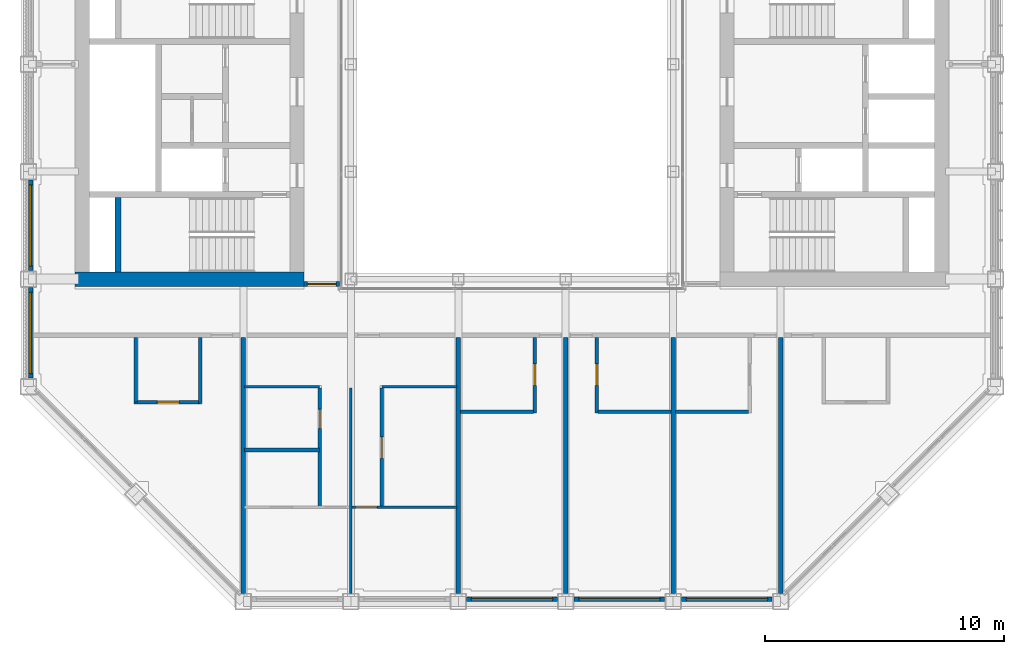
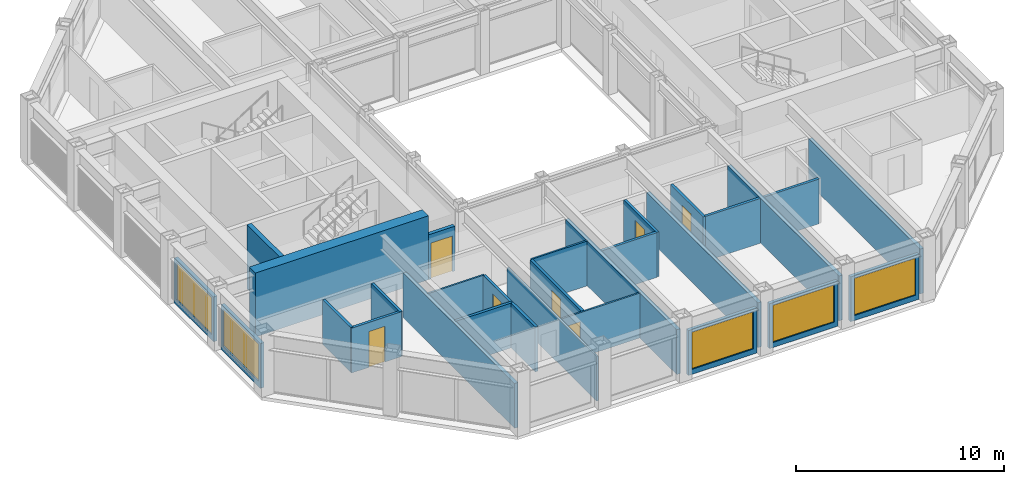
# One storey, part 9 of 18: 28 walls, 7 doors, 5 windows, 12 openings.
"""IFC4 building model written with IfcOpenShell, lengths in metres."""

from ifc_helpers import new_model, si_unit, direction, frame, frame_2d, origin, place, context, subcontext, project, spatial, rectangle, extrude, material, layer, layer_set, type_object, element, fill, save


model = new_model("IFC4")

# Units and contexts
model_context = context("Model", 3, precision=1e-05, world=origin(), true_north=direction((0.0, 1.0)))
body_context = subcontext(model_context, "Body", "Model", "MODEL_VIEW")
ifc_project = project(units=[si_unit("LENGTHUNIT", "METRE"), si_unit("AREAUNIT", "SQUARE_METRE"), si_unit("VOLUMEUNIT", "CUBIC_METRE"), si_unit("PLANEANGLEUNIT", "RADIAN"), si_unit("MASSUNIT", "GRAM", prefix="KILO")], contexts=[model_context])

# Site, building, storey
site_placement = place(None, origin())
site = spatial("IfcSite", under=ifc_project, at=site_placement, CompositionType="ELEMENT")
building_placement = place(site_placement, origin())
building = spatial("IfcBuilding", under=site, at=building_placement, Name="Msasa Ring Tower", CompositionType="ELEMENT")
storey_placement = place(building_placement, frame((0.0, 0.0, 227.050048828125)))
storey = spatial("IfcBuildingStorey", under=building, at=storey_placement, Name="L59", CompositionType="ELEMENT", Elevation=227.050048828125)

# Walls
ifc_material_1 = material(Name="Concrete C60/75", Category="concrete")
ifc_layer_1 = layer(ifc_material_1, 0.60009765625)
ifc_layer_set_1 = layer_set([ifc_layer_1], Name="CW3 CORE WALL 600")
wall_type_1 = type_object("IfcWallType", Name="CW3 CORE WALL 600", PredefinedType="SHEAR", material=ifc_layer_set_1)
wall_1_placement = place(storey_placement, frame((-8.699951171875, -6.75, 0.0), z_axis=(0.0, 0.0, 1.0), x_axis=(-1.0, 0.0, 0.0)))
element("IfcWall", 1, at=wall_1_placement, inside=storey, type_object=wall_type_1, Name="W core wall S L59", PredefinedType="SHEAR", context=body_context, shape_type="SweptSolid", body=[
    extrude(rectangle(XDim=9.60009765625, YDim=0.60009765625, at=frame_2d((4.800048828125, 0.0))), origin(), (0.0, 0.0, 1.0), 3.75),
])
ifc_material_2 = material(Name="Concrete C60/75", Category="concrete")
ifc_layer_2 = layer(ifc_material_2, 0.25)
ifc_layer_set_2 = layer_set([ifc_layer_2], Name="CW4 CORE INNER WALL 250")
wall_type_2 = type_object("IfcWallType", Name="CW4 CORE INNER WALL 250", PredefinedType="SHEAR", material=ifc_layer_set_2)
wall_2_placement = place(storey_placement, frame((-16.5, -6.449951171875, 0.0), z_axis=(0.0, 0.0, 1.0), x_axis=(0.0, 1.0, 0.0)))
element("IfcWall", 2, at=wall_2_placement, inside=storey, type_object=wall_type_2, Name="W core wall RISERA L59", PredefinedType="SHEAR", context=body_context, shape_type="SweptSolid", body=[
    extrude(rectangle(XDim=3.125, YDim=0.25, at=frame_2d((1.5625, 0.0))), origin(), (0.0, 0.0, 1.0), 3.75),
])

# Wall, opening, window
ifc_material_3 = material(Name="Terracotta rainscreen on blockwork", Category="masonry")
ifc_layer_3 = layer(ifc_material_3, 0.199951171875)
ifc_layer_set_3 = layer_set([ifc_layer_3], Name="FW1 TERRACOTTA-LINED INFILL BAY WALL 200")
wall_type_3 = type_object("IfcWallType", Name="FW1 TERRACOTTA-LINED INFILL BAY WALL 200", PredefinedType="SOLIDWALL", material=ifc_layer_set_3)
wall_3_placement = place(storey_placement, frame((-1.89501953125, -20.14990234375, 0.0), z_axis=(0.0, 0.0, 1.0), x_axis=(1.0, 0.0, 0.0)))
wall_3 = element("IfcWall", 3, at=wall_3_placement, inside=storey, type_object=wall_type_3, Name="Infill bay wall S L59 02", PredefinedType="SOLIDWALL", context=body_context, shape_type="SweptSolid", body=[
    extrude(rectangle(XDim=3.7900390625, YDim=0.199951171875, at=frame_2d((1.89501953125, 0.0))), origin(), (0.0, 0.0, 1.0), 2.62890625),
])
opening_1_placement = place(wall_3_placement, frame((0.195068359375, 0.0, 0.300048828125)))
opening_1 = element("IfcOpeningElement", 4, at=opening_1_placement, cuts=wall_3, Name="Opening WN3", PredefinedType="OPENING", context=body_context, shape_type="SweptSolid", body=[
    extrude(rectangle(XDim=3.39990234375, YDim=2.178955078125, at=frame_2d((1.699951171875, 1.08935546875))), frame((0.0, 0.10986328125, 0.0), z_axis=(0.0, -1.0, 0.0), x_axis=(1.0, 0.0, 0.0)), (0.0, 0.0, 1.0), 0.219970703125),
])
ifc_material_4 = material(Name="Aluminium frame with clear glass", Category="aluminium")
window_type = type_object("IfcWindowType", Name="WN3 SUITE WINDOW 3400x2179", PartitioningType="SINGLE_PANEL", PredefinedType="WINDOW", material=ifc_material_4)
window_1_placement = place(opening_1_placement, origin())
window_1 = element("IfcWindow", 5, at=window_1_placement, inside=storey, type_object=window_type, Name="Window S L59 02", OverallHeight=2.178955078125, OverallWidth=3.39990234375, PartitioningType="SINGLE_PANEL", PredefinedType="WINDOW", context=body_context, shape_type="SweptSolid", body=[
    extrude(rectangle(XDim=3.39990234375, YDim=2.178955078125, at=frame_2d((1.699951171875, 1.08935546875))), frame((0.0, 0.030029296875, 0.0), z_axis=(0.0, -1.0, 0.0), x_axis=(1.0, 0.0, 0.0)), (0.0, 0.0, 1.0), 0.06005859375),
])
fill(opening_1, window_1)

wall_4_placement = place(storey_placement, frame((2.60498046875, -20.14990234375, 0.0), z_axis=(0.0, 0.0, 1.0), x_axis=(1.0, 0.0, 0.0)))
wall_4 = element("IfcWall", 6, at=wall_4_placement, inside=storey, type_object=wall_type_3, Name="Infill bay wall S L59 03", PredefinedType="SOLIDWALL", context=body_context, shape_type="SweptSolid", body=[
    extrude(rectangle(XDim=3.7900390625, YDim=0.199951171875, at=frame_2d((1.89501953125, 0.0))), origin(), (0.0, 0.0, 1.0), 2.62890625),
])
opening_2_placement = place(wall_4_placement, frame((0.195068359375, 0.0, 0.300048828125)))
opening_2 = element("IfcOpeningElement", 7, at=opening_2_placement, cuts=wall_4, Name="Opening WN3", PredefinedType="OPENING", context=body_context, shape_type="SweptSolid", body=[
    extrude(rectangle(XDim=3.39990234375, YDim=2.178955078125, at=frame_2d((1.699951171875, 1.08935546875))), frame((0.0, 0.10986328125, 0.0), z_axis=(0.0, -1.0, 0.0), x_axis=(1.0, 0.0, 0.0)), (0.0, 0.0, 1.0), 0.219970703125),
])
window_2_placement = place(opening_2_placement, origin())
window_2 = element("IfcWindow", 8, at=window_2_placement, inside=storey, type_object=window_type, Name="Window S L59 03", OverallHeight=2.178955078125, OverallWidth=3.39990234375, PartitioningType="SINGLE_PANEL", PredefinedType="WINDOW", context=body_context, shape_type="SweptSolid", body=[
    extrude(rectangle(XDim=3.39990234375, YDim=2.178955078125, at=frame_2d((1.699951171875, 1.08935546875))), frame((0.0, 0.030029296875, 0.0), z_axis=(0.0, -1.0, 0.0), x_axis=(1.0, 0.0, 0.0)), (0.0, 0.0, 1.0), 0.06005859375),
])
fill(opening_2, window_2)

wall_5_placement = place(storey_placement, frame((7.10498046875, -20.14990234375, 0.0), z_axis=(0.0, 0.0, 1.0), x_axis=(1.0, 0.0, 0.0)))
wall_5 = element("IfcWall", 9, at=wall_5_placement, inside=storey, type_object=wall_type_3, Name="Infill bay wall S L59 04", PredefinedType="SOLIDWALL", context=body_context, shape_type="SweptSolid", body=[
    extrude(rectangle(XDim=3.7900390625, YDim=0.199951171875, at=frame_2d((1.89501953125, 0.0))), origin(), (0.0, 0.0, 1.0), 2.62890625),
])
opening_3_placement = place(wall_5_placement, frame((0.195068359375, 0.0, 0.300048828125)))
opening_3 = element("IfcOpeningElement", 10, at=opening_3_placement, cuts=wall_5, Name="Opening WN3", PredefinedType="OPENING", context=body_context, shape_type="SweptSolid", body=[
    extrude(rectangle(XDim=3.39990234375, YDim=2.178955078125, at=frame_2d((1.699951171875, 1.08935546875))), frame((0.0, 0.10986328125, 0.0), z_axis=(0.0, -1.0, 0.0), x_axis=(1.0, 0.0, 0.0)), (0.0, 0.0, 1.0), 0.219970703125),
])
window_3_placement = place(opening_3_placement, origin())
window_3 = element("IfcWindow", 11, at=window_3_placement, inside=storey, type_object=window_type, Name="Window S L59 04", OverallHeight=2.178955078125, OverallWidth=3.39990234375, PartitioningType="SINGLE_PANEL", PredefinedType="WINDOW", context=body_context, shape_type="SweptSolid", body=[
    extrude(rectangle(XDim=3.39990234375, YDim=2.178955078125, at=frame_2d((1.699951171875, 1.08935546875))), frame((0.0, 0.030029296875, 0.0), z_axis=(0.0, -1.0, 0.0), x_axis=(1.0, 0.0, 0.0)), (0.0, 0.0, 1.0), 0.06005859375),
])
fill(opening_3, window_3)

wall_6_placement = place(storey_placement, frame((-20.14990234375, -10.89501953125, 0.0), z_axis=(0.0, 0.0, 1.0), x_axis=(0.0, 1.0, 0.0)))
wall_6 = element("IfcWall", 12, at=wall_6_placement, inside=storey, type_object=wall_type_3, Name="Infill bay wall W L59 21", PredefinedType="SOLIDWALL", context=body_context, shape_type="SweptSolid", body=[
    extrude(rectangle(XDim=3.7900390625, YDim=0.199951171875, at=frame_2d((1.89501953125, 0.0))), origin(), (0.0, 0.0, 1.0), 2.62890625),
])
opening_4_placement = place(wall_6_placement, frame((0.195068359375, 0.0, 0.300048828125)))
opening_4 = element("IfcOpeningElement", 13, at=opening_4_placement, cuts=wall_6, Name="Opening WN3", PredefinedType="OPENING", context=body_context, shape_type="SweptSolid", body=[
    extrude(rectangle(XDim=3.39990234375, YDim=2.178955078125, at=frame_2d((1.699951171875, 1.08935546875))), frame((0.0, 0.10986328125, 0.0), z_axis=(0.0, -1.0, 0.0), x_axis=(1.0, 0.0, 0.0)), (0.0, 0.0, 1.0), 0.219970703125),
])
window_4_placement = place(opening_4_placement, origin())
window_4 = element("IfcWindow", 14, at=window_4_placement, inside=storey, type_object=window_type, Name="Window W L59 21", OverallHeight=2.178955078125, OverallWidth=3.39990234375, PartitioningType="SINGLE_PANEL", PredefinedType="WINDOW", context=body_context, shape_type="SweptSolid", body=[
    extrude(rectangle(XDim=3.39990234375, YDim=2.178955078125, at=frame_2d((1.699951171875, 1.08935546875))), frame((0.0, 0.030029296875, 0.0), z_axis=(0.0, -1.0, 0.0), x_axis=(1.0, 0.0, 0.0)), (0.0, 0.0, 1.0), 0.06005859375),
])
fill(opening_4, window_4)

wall_7_placement = place(storey_placement, frame((-20.14990234375, -6.39501953125, 0.0), z_axis=(0.0, 0.0, 1.0), x_axis=(0.0, 1.0, 0.0)))
wall_7 = element("IfcWall", 15, at=wall_7_placement, inside=storey, type_object=wall_type_3, Name="Infill bay wall W L59 22", PredefinedType="SOLIDWALL", context=body_context, shape_type="SweptSolid", body=[
    extrude(rectangle(XDim=3.7900390625, YDim=0.199951171875, at=frame_2d((1.89501953125, 0.0))), origin(), (0.0, 0.0, 1.0), 2.62890625),
])
opening_5_placement = place(wall_7_placement, frame((0.195068359375, 0.0, 0.300048828125)))
opening_5 = element("IfcOpeningElement", 16, at=opening_5_placement, cuts=wall_7, Name="Opening WN3", PredefinedType="OPENING", context=body_context, shape_type="SweptSolid", body=[
    extrude(rectangle(XDim=3.39990234375, YDim=2.178955078125, at=frame_2d((1.699951171875, 1.08935546875))), frame((0.0, 0.10986328125, 0.0), z_axis=(0.0, -1.0, 0.0), x_axis=(1.0, 0.0, 0.0)), (0.0, 0.0, 1.0), 0.219970703125),
])
window_5_placement = place(opening_5_placement, origin())
window_5 = element("IfcWindow", 17, at=window_5_placement, inside=storey, type_object=window_type, Name="Window W L59 22", OverallHeight=2.178955078125, OverallWidth=3.39990234375, PartitioningType="SINGLE_PANEL", PredefinedType="WINDOW", context=body_context, shape_type="SweptSolid", body=[
    extrude(rectangle(XDim=3.39990234375, YDim=2.178955078125, at=frame_2d((1.699951171875, 1.08935546875))), frame((0.0, 0.030029296875, 0.0), z_axis=(0.0, -1.0, 0.0), x_axis=(1.0, 0.0, 0.0)), (0.0, 0.0, 1.0), 0.06005859375),
])
fill(opening_5, window_5)

# Wall, opening, door
ifc_material_5 = material(Name="Concrete blockwork", Category="masonry")
ifc_layer_4 = layer(ifc_material_5, 0.199951171875)
ifc_layer_set_4 = layer_set([ifc_layer_4], Name="PT1 CORRIDOR WALL 200")
wall_type_4 = type_object("IfcWallType", Name="PT1 CORRIDOR WALL 200", PredefinedType="PARTITIONING", material=ifc_layer_set_4)
wall_8_placement = place(storey_placement, frame((-8.699951171875, -6.949951171875, 0.0), z_axis=(0.0, 0.0, 1.0), x_axis=(1.0, 0.0, 0.0)))
wall_8 = element("IfcWall", 18, at=wall_8_placement, inside=storey, type_object=wall_type_4, Name="Corridor wall L59-SDWS", PredefinedType="PARTITIONING", context=body_context, shape_type="SweptSolid", body=[
    extrude(rectangle(XDim=1.469970703125, YDim=0.199951171875, at=frame_2d((0.73486328125, 0.0))), origin(), (0.0, 0.0, 1.0), 2.62890625),
])
opening_6_placement = place(wall_8_placement, frame((0.135009765625, 0.0, 0.0)))
opening_6 = element("IfcOpeningElement", 19, at=opening_6_placement, cuts=wall_8, Name="Opening SC-034", PredefinedType="OPENING", context=body_context, shape_type="SweptSolid", body=[
    extrude(rectangle(XDim=1.199951171875, YDim=2.10009765625, at=frame_2d((0.60009765625, 1.050048828125))), frame((0.0, 0.10986328125, 0.0), z_axis=(0.0, -1.0, 0.0), x_axis=(1.0, 0.0, 0.0)), (0.0, 0.0, 1.0), 0.219970703125),
])
ifc_material_6 = material(Name="Timber door leaf in a steel frame", Category="steel")
door_type_1 = type_object("IfcDoorType", Name="D25 CORRIDOR PAIR OF SMOKE DOORS 1200x2100", OperationType="DOUBLE_DOOR_DOUBLE_SWING", PredefinedType="DOOR", material=ifc_material_6)
door_1_placement = place(opening_6_placement, origin())
door_1 = element("IfcDoor", 20, at=door_1_placement, inside=storey, type_object=door_type_1, Name="Door L59-SDWS", OperationType="DOUBLE_DOOR_DOUBLE_SWING", OverallHeight=2.10009765625, OverallWidth=1.199951171875, PredefinedType="DOOR", context=body_context, shape_type="SweptSolid", body=[
    extrude(rectangle(XDim=1.199951171875, YDim=2.10009765625, at=frame_2d((0.60009765625, 1.050048828125))), frame((0.0, 0.02490234375, 0.0), z_axis=(0.0, -1.0, 0.0), x_axis=(1.0, 0.0, 0.0)), (0.0, 0.0, 1.0), 0.050048828125),
])
fill(opening_6, door_1)

# Wall
ifc_material_7 = material(Name="Gypsum board on steel studs", Category="steel")
ifc_layer_5 = layer(ifc_material_7, 0.10009765625)
ifc_layer_set_5 = layer_set([ifc_layer_5], Name="PT2 STUD PARTITION 100")
wall_type_5 = type_object("IfcWallType", Name="PT2 STUD PARTITION 100", PredefinedType="PARTITIONING", material=ifc_layer_set_5)
wall_9_placement = place(storey_placement, frame((-5.449951171875, -11.25, 0.0), z_axis=(0.0, 0.0, 1.0), x_axis=(1.0, 0.0, 0.0)))
element("IfcWall", 21, at=wall_9_placement, inside=storey, type_object=wall_type_5, Name="Partition L59-JS00HY0", PredefinedType="PARTITIONING", context=body_context, shape_type="SweptSolid", body=[
    extrude(rectangle(XDim=3.139892578125, YDim=0.10009765625, at=frame_2d((1.56982421875, 0.0))), origin(), (0.0, 0.0, 1.0), 2.62890625),
])

# Wall, opening, door
wall_10_placement = place(storey_placement, frame((-6.699951171875, -16.300048828125, 0.0), z_axis=(0.0, 0.0, 1.0), x_axis=(1.0, 0.0, 0.0)))
wall_10 = element("IfcWall", 22, at=wall_10_placement, inside=storey, type_object=wall_type_5, Name="Partition L59-JS00SY0", PredefinedType="PARTITIONING", context=body_context, shape_type="SweptSolid", body=[
    extrude(rectangle(XDim=4.389892578125, YDim=0.10009765625, at=frame_2d((2.19482421875, 0.0))), origin(), (0.0, 0.0, 1.0), 2.62890625),
])
opening_7_placement = place(wall_10_placement, frame((0.14990234375, 0.0, 0.0)))
opening_7 = element("IfcOpeningElement", 23, at=opening_7_placement, cuts=wall_10, Name="Opening SC-051", PredefinedType="OPENING", context=body_context, shape_type="SweptSolid", body=[
    extrude(rectangle(XDim=0.89990234375, YDim=2.10009765625, at=frame_2d((0.449951171875, 1.050048828125))), frame((0.0, 0.06005859375, 0.0), z_axis=(0.0, -1.0, 0.0), x_axis=(1.0, 0.0, 0.0)), (0.0, 0.0, 1.0), 0.1201171875),
])
ifc_material_8 = material(Name="Timber door leaf in a steel frame", Category="steel")
door_type_2 = type_object("IfcDoorType", Name="D22 INTERNAL HALL DOOR 900x2100", OperationType="SINGLE_SWING_LEFT", PredefinedType="DOOR", material=ifc_material_8)
door_2_placement = place(opening_7_placement, origin())
door_2 = element("IfcDoor", 24, at=door_2_placement, inside=storey, type_object=door_type_2, Name="Door L59-JS00L", OperationType="SINGLE_SWING_LEFT", OverallHeight=2.10009765625, OverallWidth=0.89990234375, PredefinedType="DOOR", context=body_context, shape_type="SweptSolid", body=[
    extrude(rectangle(XDim=0.89990234375, YDim=2.10009765625, at=frame_2d((0.449951171875, 1.050048828125))), frame((0.0, 0.02490234375, 0.0), z_axis=(0.0, -1.0, 0.0), x_axis=(1.0, 0.0, 0.0)), (0.0, 0.0, 1.0), 0.050048828125),
])
fill(opening_7, door_2)

# Walls
wall_11_placement = place(storey_placement, frame((-6.75, -19.89990234375, 0.0), z_axis=(0.0, 0.0, 1.0), x_axis=(0.0, 1.0, 0.0)))
element("IfcWall", 25, at=wall_11_placement, inside=storey, type_object=wall_type_5, Name="Partition L59-JS00P1", PredefinedType="PARTITIONING", context=body_context, shape_type="SweptSolid", body=[
    extrude(rectangle(XDim=8.599853515625, YDim=0.10009765625, at=frame_2d((4.2998046875, 0.0))), origin(), (0.0, 0.0, 1.0), 2.62890625),
])
wall_12_placement = place(storey_placement, frame((-11.18994140625, -11.25, 0.0), z_axis=(0.0, 0.0, 1.0), x_axis=(1.0, 0.0, 0.0)))
element("IfcWall", 26, at=wall_12_placement, inside=storey, type_object=wall_type_5, Name="Partition L59-JS00HY1", PredefinedType="PARTITIONING", context=body_context, shape_type="SweptSolid", body=[
    extrude(rectangle(XDim=3.139892578125, YDim=0.10009765625, at=frame_2d((1.56982421875, 0.0))), origin(), (0.0, 0.0, 1.0), 2.62890625),
])
ifc_material_9 = material(Name="Dense concrete blockwork, plastered both faces", Category="masonry")
ifc_layer_6 = layer(ifc_material_9, 0.25)
ifc_layer_set_6 = layer_set([ifc_layer_6], Name="PT3 APARTMENT SEPARATING WALL 250")
wall_type_6 = type_object("IfcWallType", Name="PT3 APARTMENT SEPARATING WALL 250", PredefinedType="PARTITIONING", material=ifc_layer_set_6)
for number, where, z_axis, x_axis, name in (
    (27, (-11.25, -19.89990234375, 0.0), (0.0, 0.0, 1.0), (0.0, 1.0, 0.0), "Party wall L59-PWS-11.25"),
    (28, (-2.25, -19.89990234375, 0.0), (0.0, 0.0, 1.0), (0.0, 1.0, 0.0), "Party wall L59-PWS-2.25"),
    (29, (2.25, -19.89990234375, 0.0), (0.0, 0.0, 1.0), (0.0, 1.0, 0.0), "Party wall L59-PWS+2.25"),
    (30, (6.75, -19.89990234375, 0.0), (0.0, 0.0, 1.0), (0.0, 1.0, 0.0), "Party wall L59-PWS+6.75"),
    (31, (11.25, -19.89990234375, 0.0), (0.0, 0.0, 1.0), (0.0, 1.0, 0.0), "Party wall L59-PWS+11.25"),
):
    element("IfcWall", number, at=place(storey_placement, frame(where, z_axis=z_axis, x_axis=x_axis)), inside=storey, type_object=wall_type_6, Name=name, PredefinedType="PARTITIONING", context=body_context, shape_type="SweptSolid", body=[
        extrude(rectangle(XDim=10.699951171875, YDim=0.199951171875, at=frame_2d((5.35009765625, 0.0))), origin(), (0.0, 0.0, 1.0), 2.62890625),
    ])

# Wall, opening, door
ifc_material_10 = material(Name="Moisture-resistant board on steel studs with a concealed cistern and pipe void, tiled", Category="steel")
ifc_layer_7 = layer(ifc_material_10, 0.14990234375)
ifc_layer_set_7 = layer_set([ifc_layer_7], Name="PT4 BATHROOM WET WALL 150")
wall_type_7 = type_object("IfcWallType", Name="PT4 BATHROOM WET WALL 150", PredefinedType="PARTITIONING", material=ifc_layer_set_7)
wall_13_placement = place(storey_placement, frame((-5.449951171875, -16.300048828125, 0.0), z_axis=(0.0, 0.0, 1.0), x_axis=(0.0, 1.0, 0.0)))
wall_13 = element("IfcWall", 32, at=wall_13_placement, inside=storey, type_object=wall_type_7, Name="Partition L59-JS00SX0", PredefinedType="PARTITIONING", context=body_context, shape_type="SweptSolid", body=[
    extrude(rectangle(XDim=5.0, YDim=0.14990234375, at=frame_2d((2.5, 0.0))), origin(), (0.0, 0.0, 1.0), 2.62890625),
])
opening_8_placement = place(wall_13_placement, frame((2.050048828125, 0.0, 0.0)))
opening_8 = element("IfcOpeningElement", 33, at=opening_8_placement, cuts=wall_13, Name="Opening SC-048", PredefinedType="OPENING", context=body_context, shape_type="SweptSolid", body=[
    extrude(rectangle(XDim=0.89990234375, YDim=2.10009765625, at=frame_2d((0.449951171875, 1.050048828125))), frame((0.0, 0.0849609375, 0.0), z_axis=(0.0, -1.0, 0.0), x_axis=(1.0, 0.0, 0.0)), (0.0, 0.0, 1.0), 0.169921875),
])
door_3_placement = place(opening_8_placement, origin())
door_3 = element("IfcDoor", 34, at=door_3_placement, inside=storey, type_object=door_type_2, Name="Door L59-JS00K", OperationType="SINGLE_SWING_LEFT", OverallHeight=2.10009765625, OverallWidth=0.89990234375, PredefinedType="DOOR", context=body_context, shape_type="SweptSolid", body=[
    extrude(rectangle(XDim=0.89990234375, YDim=2.10009765625, at=frame_2d((0.449951171875, 1.050048828125))), frame((0.0, 0.02490234375, 0.0), z_axis=(0.0, -1.0, 0.0), x_axis=(1.0, 0.0, 0.0)), (0.0, 0.0, 1.0), 0.050048828125),
])
fill(opening_8, door_3)

wall_14_placement = place(storey_placement, frame((-8.050048828125, -16.300048828125, 0.0), z_axis=(0.0, 0.0, 1.0), x_axis=(0.0, 1.0, 0.0)))
wall_14 = element("IfcWall", 35, at=wall_14_placement, inside=storey, type_object=wall_type_7, Name="Partition L59-JS00SX1", PredefinedType="PARTITIONING", context=body_context, shape_type="SweptSolid", body=[
    extrude(rectangle(XDim=5.0, YDim=0.14990234375, at=frame_2d((2.5, 0.0))), origin(), (0.0, 0.0, 1.0), 2.62890625),
])
opening_9_placement = place(wall_14_placement, frame((3.300048828125, 0.0, 0.0)))
opening_9 = element("IfcOpeningElement", 36, at=opening_9_placement, cuts=wall_14, Name="Opening SC-047", PredefinedType="OPENING", context=body_context, shape_type="SweptSolid", body=[
    extrude(rectangle(XDim=0.800048828125, YDim=2.10009765625, at=frame_2d((0.39990234375, 1.050048828125))), frame((0.0, 0.0849609375, 0.0), z_axis=(0.0, -1.0, 0.0), x_axis=(1.0, 0.0, 0.0)), (0.0, 0.0, 1.0), 0.169921875),
])
ifc_material_11 = material(Name="Timber door leaf in a steel frame", Category="steel")
door_type_3 = type_object("IfcDoorType", Name="D60 DRESSING ROOM DOOR 800x2100", OperationType="SINGLE_SWING_LEFT", PredefinedType="DOOR", material=ifc_material_11)
door_4_placement = place(opening_9_placement, origin())
door_4 = element("IfcDoor", 37, at=door_4_placement, inside=storey, type_object=door_type_3, Name="Door L59-JS00W1", OperationType="SINGLE_SWING_RIGHT", OverallHeight=2.10009765625, OverallWidth=0.800048828125, PredefinedType="DOOR", context=body_context, shape_type="SweptSolid", body=[
    extrude(rectangle(XDim=0.800048828125, YDim=2.10009765625, at=frame_2d((0.39990234375, 1.050048828125))), frame((0.0, 0.02490234375, 0.0), z_axis=(0.0, -1.0, 0.0), x_axis=(1.0, 0.0, 0.0)), (0.0, 0.0, 1.0), 0.050048828125),
])
fill(opening_9, door_4)

# Wall
wall_15_placement = place(storey_placement, frame((-11.18994140625, -13.89990234375, 0.0), z_axis=(0.0, 0.0, 1.0), x_axis=(1.0, 0.0, 0.0)))
element("IfcWall", 38, at=wall_15_placement, inside=storey, type_object=wall_type_7, Name="Partition L59-JS00SB1", PredefinedType="PARTITIONING", context=body_context, shape_type="SweptSolid", body=[
    extrude(rectangle(XDim=3.139892578125, YDim=0.14990234375, at=frame_2d((1.56982421875, 0.0))), origin(), (0.0, 0.0, 1.0), 2.62890625),
])

# Wall, opening, door
wall_16_placement = place(storey_placement, frame((0.949951171875, -12.35009765625, 0.0), z_axis=(0.0, 0.0, 1.0), x_axis=(0.0, 1.0, 0.0)))
wall_16 = element("IfcWall", 39, at=wall_16_placement, inside=storey, type_object=wall_type_7, Name="Partition L59-JS01BX", PredefinedType="PARTITIONING", context=body_context, shape_type="SweptSolid", body=[
    extrude(rectangle(XDim=3.150146484375, YDim=0.14990234375, at=frame_2d((1.5751953125, 0.0))), origin(), (0.0, 0.0, 1.0), 2.62890625),
])
opening_10_placement = place(wall_16_placement, frame((1.14990234375, 0.0, 0.0)))
opening_10 = element("IfcOpeningElement", 40, at=opening_10_placement, cuts=wall_16, Name="Opening SC-042", PredefinedType="OPENING", context=body_context, shape_type="SweptSolid", body=[
    extrude(rectangle(XDim=0.89990234375, YDim=2.10009765625, at=frame_2d((0.449951171875, 1.050048828125))), frame((0.0, 0.0849609375, 0.0), z_axis=(0.0, -1.0, 0.0), x_axis=(1.0, 0.0, 0.0)), (0.0, 0.0, 1.0), 0.169921875),
])
ifc_material_12 = material(Name="Timber door leaf in a steel frame", Category="steel")
door_type_4 = type_object("IfcDoorType", Name="D3 BATHROOM DOOR 900x2100", OperationType="SINGLE_SWING_LEFT", PredefinedType="DOOR", material=ifc_material_12)
door_5_placement = place(opening_10_placement, origin())
door_5 = element("IfcDoor", 41, at=door_5_placement, inside=storey, type_object=door_type_4, Name="Door L59-JS01B", OperationType="SINGLE_SWING_LEFT", OverallHeight=2.10009765625, OverallWidth=0.89990234375, PredefinedType="DOOR", context=body_context, shape_type="SweptSolid", body=[
    extrude(rectangle(XDim=0.89990234375, YDim=2.10009765625, at=frame_2d((0.449951171875, 1.050048828125))), frame((0.0, 0.02490234375, 0.0), z_axis=(0.0, -1.0, 0.0), x_axis=(1.0, 0.0, 0.0)), (0.0, 0.0, 1.0), 0.050048828125),
])
fill(opening_10, door_5)

# Wall
wall_17_placement = place(storey_placement, frame((-2.14990234375, -12.300048828125, 0.0), z_axis=(0.0, 0.0, 1.0), x_axis=(1.0, 0.0, 0.0)))
element("IfcWall", 42, at=wall_17_placement, inside=storey, type_object=wall_type_7, Name="Partition L59-JS01BY", PredefinedType="PARTITIONING", context=body_context, shape_type="SweptSolid", body=[
    extrude(rectangle(XDim=3.0498046875, YDim=0.14990234375, at=frame_2d((1.52490234375, 0.0))), origin(), (0.0, 0.0, 1.0), 2.62890625),
])

# Wall, opening, door
wall_18_placement = place(storey_placement, frame((3.550048828125, -12.35009765625, 0.0), z_axis=(0.0, 0.0, 1.0), x_axis=(0.0, 1.0, 0.0)))
wall_18 = element("IfcWall", 43, at=wall_18_placement, inside=storey, type_object=wall_type_7, Name="Partition L59-JS02BX", PredefinedType="PARTITIONING", context=body_context, shape_type="SweptSolid", body=[
    extrude(rectangle(XDim=3.150146484375, YDim=0.14990234375, at=frame_2d((1.5751953125, 0.0))), origin(), (0.0, 0.0, 1.0), 2.62890625),
])
opening_11_placement = place(wall_18_placement, frame((1.14990234375, 0.0, 0.0)))
opening_11 = element("IfcOpeningElement", 44, at=opening_11_placement, cuts=wall_18, Name="Opening SC-043", PredefinedType="OPENING", context=body_context, shape_type="SweptSolid", body=[
    extrude(rectangle(XDim=0.89990234375, YDim=2.10009765625, at=frame_2d((0.449951171875, 1.050048828125))), frame((0.0, 0.0849609375, 0.0), z_axis=(0.0, -1.0, 0.0), x_axis=(1.0, 0.0, 0.0)), (0.0, 0.0, 1.0), 0.169921875),
])
door_6_placement = place(opening_11_placement, origin())
door_6 = element("IfcDoor", 45, at=door_6_placement, inside=storey, type_object=door_type_4, Name="Door L59-JS02B", OperationType="SINGLE_SWING_LEFT", OverallHeight=2.10009765625, OverallWidth=0.89990234375, PredefinedType="DOOR", context=body_context, shape_type="SweptSolid", body=[
    extrude(rectangle(XDim=0.89990234375, YDim=2.10009765625, at=frame_2d((0.449951171875, 1.050048828125))), frame((0.0, 0.02490234375, 0.0), z_axis=(0.0, -1.0, 0.0), x_axis=(1.0, 0.0, 0.0)), (0.0, 0.0, 1.0), 0.050048828125),
])
fill(opening_11, door_6)

# Walls
for number, where, z_axis, x_axis, name in (
    (46, (3.60009765625, -12.300048828125, 0.0), (0.0, 0.0, 1.0), (1.0, 0.0, 0.0), "Partition L59-JS02BY"),
    (47, (6.85009765625, -12.300048828125, 0.0), (0.0, 0.0, 1.0), (1.0, 0.0, 0.0), "Partition L59-JS03BY"),
):
    element("IfcWall", number, at=place(storey_placement, frame(where, z_axis=z_axis, x_axis=x_axis)), inside=storey, type_object=wall_type_7, Name=name, PredefinedType="PARTITIONING", context=body_context, shape_type="SweptSolid", body=[
        extrude(rectangle(XDim=3.0498046875, YDim=0.14990234375, at=frame_2d((1.52490234375, 0.0))), origin(), (0.0, 0.0, 1.0), 2.62890625),
    ])
wall_19_placement = place(storey_placement, frame((-13.050048828125, -11.949951171875, 0.0), z_axis=(0.0, 0.0, 1.0), x_axis=(0.0, 1.0, 0.0)))
element("IfcWall", 48, at=wall_19_placement, inside=storey, type_object=wall_type_7, Name="Partition L59-CSSWBX", PredefinedType="PARTITIONING", context=body_context, shape_type="SweptSolid", body=[
    extrude(rectangle(XDim=2.75, YDim=0.14990234375, at=frame_2d((1.375, 0.0))), origin(), (0.0, 0.0, 1.0), 2.62890625),
])

# Wall, opening, door
wall_20_placement = place(storey_placement, frame((-15.824951171875, -11.89990234375, 0.0), z_axis=(0.0, 0.0, 1.0), x_axis=(1.0, 0.0, 0.0)))
wall_20 = element("IfcWall", 49, at=wall_20_placement, inside=storey, type_object=wall_type_7, Name="Partition L59-CSSWBY", PredefinedType="PARTITIONING", context=body_context, shape_type="SweptSolid", body=[
    extrude(rectangle(XDim=2.77490234375, YDim=0.14990234375, at=frame_2d((1.387451171875, 0.0))), origin(), (0.0, 0.0, 1.0), 2.62890625),
])
opening_12_placement = place(wall_20_placement, frame((0.97509765625, 0.0, 0.0)))
opening_12 = element("IfcOpeningElement", 50, at=opening_12_placement, cuts=wall_20, Name="Opening SC-045", PredefinedType="OPENING", context=body_context, shape_type="SweptSolid", body=[
    extrude(rectangle(XDim=0.89990234375, YDim=2.10009765625, at=frame_2d((0.449951171875, 1.050048828125))), frame((0.0, 0.0849609375, 0.0), z_axis=(0.0, -1.0, 0.0), x_axis=(1.0, 0.0, 0.0)), (0.0, 0.0, 1.0), 0.169921875),
])
door_7_placement = place(opening_12_placement, origin())
door_7 = element("IfcDoor", 51, at=door_7_placement, inside=storey, type_object=door_type_4, Name="Door L59-CSSWB1", OperationType="SINGLE_SWING_RIGHT", OverallHeight=2.10009765625, OverallWidth=0.89990234375, PredefinedType="DOOR", context=body_context, shape_type="SweptSolid", body=[
    extrude(rectangle(XDim=0.89990234375, YDim=2.10009765625, at=frame_2d((0.449951171875, 1.050048828125))), frame((0.0, 0.02490234375, 0.0), z_axis=(0.0, -1.0, 0.0), x_axis=(1.0, 0.0, 0.0)), (0.0, 0.0, 1.0), 0.050048828125),
])
fill(opening_12, door_7)

# Wall
wall_21_placement = place(storey_placement, frame((-15.75, -11.89990234375, 0.0), z_axis=(0.0, 0.0, 1.0), x_axis=(0.0, 1.0, 0.0)))
element("IfcWall", 52, at=wall_21_placement, inside=storey, type_object=wall_type_7, Name="Partition L59-CSSWBE", PredefinedType="PARTITIONING", context=body_context, shape_type="SweptSolid", body=[
    extrude(rectangle(XDim=2.699951171875, YDim=0.14990234375, at=frame_2d((1.35009765625, 0.0))), origin(), (0.0, 0.0, 1.0), 2.62890625),
])

save(model, "model.ifc")
